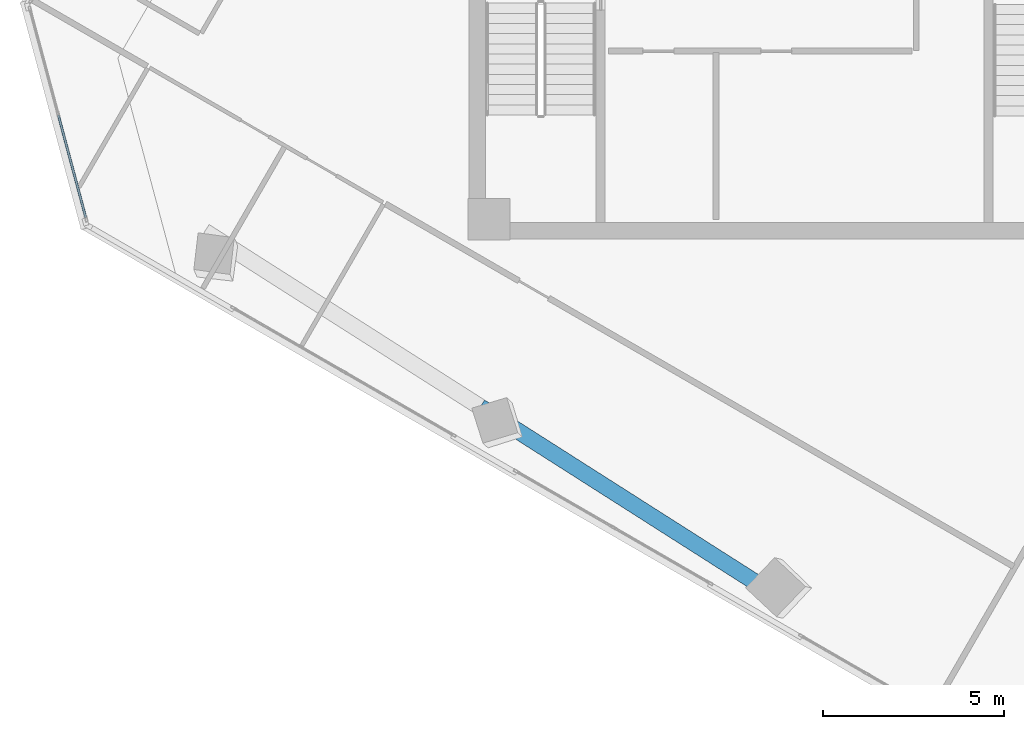
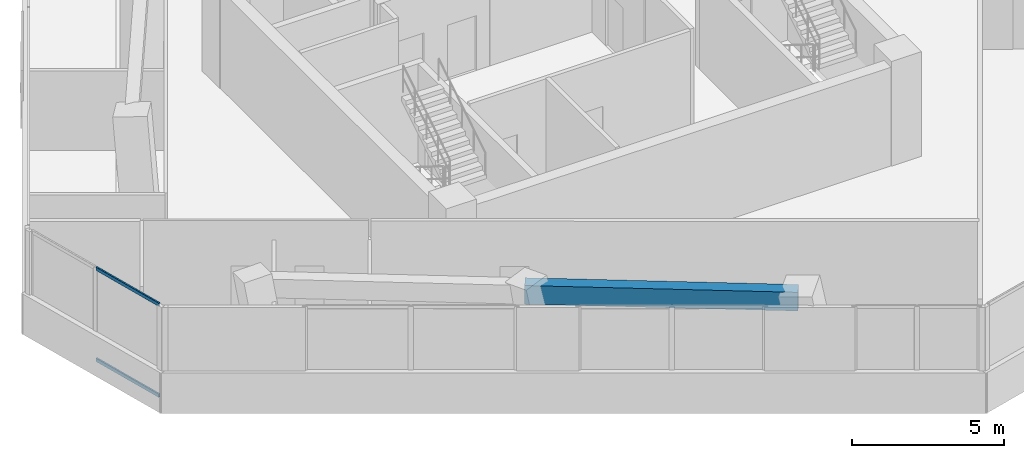
# One storey, part 5 of 22: 2 members, 1 beam, 1 element without a shape of its own.
"""IFC4 building model written with IfcOpenShell, lengths in metres."""

from ifc_helpers import new_model, si_unit, direction, frame, origin, origin_2d, place, context, subcontext, project, spatial, rectangle, hollow_rectangle, extrude, source, transform, mapped, material, material_profile, profile_set, type_object, element, aggregate, save


model = new_model("IFC4")

# Units and contexts
model_context = context("Model", 3, precision=1e-05, world=origin(), true_north=direction((0.0, 1.0)))
body_context = subcontext(model_context, "Body", "Model", "MODEL_VIEW")
ifc_project = project(units=[si_unit("LENGTHUNIT", "METRE"), si_unit("AREAUNIT", "SQUARE_METRE"), si_unit("VOLUMEUNIT", "CUBIC_METRE"), si_unit("PLANEANGLEUNIT", "RADIAN"), si_unit("MASSUNIT", "GRAM", prefix="KILO")], contexts=[model_context])

# Site, building, storey
site_placement = place(None, origin())
site = spatial("IfcSite", under=ifc_project, at=site_placement, CompositionType="ELEMENT")
building_placement = place(site_placement, origin())
building = spatial("IfcBuilding", under=site, at=building_placement, Name="Torre Montelarca", CompositionType="ELEMENT")
storey_placement = place(building_placement, frame((0.0, 0.0, 183.39990234375)))
storey = spatial("IfcBuildingStorey", under=building, at=storey_placement, Name="L41", CompositionType="ELEMENT", Elevation=183.39990234375)

# Beam
ifc_material_1 = material(Name="Concrete C55/67", Category="concrete")
ifc_material_profile_1 = material_profile(ifc_material_1, rectangle(XDim=0.449951171875, YDim=0.75, at=origin_2d()), Name="RCB450X750", Category="concrete")
ifc_profile_set_1 = profile_set([ifc_material_profile_1], Name="Concrete C55/67")
beam_type = type_object("IfcBeamType", Name="BM-SP-RC750-EXT", PredefinedType="SPANDREL", material=ifc_profile_set_1)
shared_shape_1 = source(origin(), body_context, "Body", "SweptSolid", [
    extrude(rectangle(XDim=0.449951171875, YDim=0.75, at=origin_2d()), origin(), (0.0, 0.0, 1.0), 9.0),
])
beam_placement = place(storey_placement, frame((9.306640625, 19.374267578125, 3.585205078125), z_axis=(0.843393307865, -0.5372966855, 0.0), x_axis=(0.5372966855, 0.843393307865, 0.0)))
element("IfcBeam", 1, at=beam_placement, inside=storey, type_object=beam_type, Name="L41 Grid Girder X 18.0-27.0 at Y=14.8", PredefinedType="SPANDREL", context=body_context, shape_type="MappedRepresentation", body=[
    mapped(shared_shape_1, transform((0.0, 0.0, 0.0), scale=1.0)),
])

# Curtain wall, members
ifc_material_2 = material(Name="Insulated low-E laminated glass", Category="glass")
curtain_wall_type = type_object("IfcCurtainWallType", Name="CW-SYS-Z2", PredefinedType="USERDEFINED", material=ifc_material_2)
curtain_wall_placement = place(storey_placement, origin())
curtain_wall = element("IfcCurtainWall", 2, at=curtain_wall_placement, inside=storey, type_object=curtain_wall_type, Name="L41 Curtain Wall Run CW-T3-L41-E11-B1", ObjectType="UNITISED GLAZING", PredefinedType="USERDEFINED")
ifc_material_3 = material(Name="Anodised aluminium AA 6063-T6", Category="aluminium")
ifc_material_profile_2 = material_profile(ifc_material_3, hollow_rectangle(XDim=0.06494140625, YDim=0.139892578125, WallThickness=0.00390625, InnerFilletRadius=0.00390625, OuterFilletRadius=0.008056640625, at=origin_2d()), Name="ALU65X140X4", Category="aluminium")
ifc_profile_set_2 = profile_set([ifc_material_profile_2], Name="Anodised aluminium AA 6063-T6")
member_type = type_object("IfcMemberType", Name="CWT-ALU140", PredefinedType="USERDEFINED", material=ifc_profile_set_2)
shared_shape_2 = source(origin(), body_context, "Body", "SweptSolid", [
    extrude(hollow_rectangle(XDim=0.06494140625, YDim=0.139892578125, WallThickness=0.00390625, InnerFilletRadius=0.00390625, OuterFilletRadius=0.008056640625, at=origin_2d()), origin(), (0.0, 0.0, 1.0), 2.91845703125),
])
member_1_placement = place(storey_placement, frame((-2.319091796875, 27.4140625, 0.03271484375), z_axis=(0.258818317304, -0.965926021302, 0.0), x_axis=(0.965926021302, 0.258818317304, 0.0)))
member_1 = element("IfcMember", 3, at=member_1_placement, type_object=member_type, Name="CW transom 2.1", ObjectType="TRANSOM", PredefinedType="USERDEFINED", context=body_context, shape_type="MappedRepresentation", body=[
    mapped(shared_shape_2, transform((0.0, 0.0, 0.0), scale=1.0)),
])
member_2_placement = place(storey_placement, frame((-2.319091796875, 27.4140625, 3.6875), z_axis=(0.258818317304, -0.965926021302, 0.0), x_axis=(0.965926021302, 0.258818317304, 0.0)))
member_2 = element("IfcMember", 4, at=member_2_placement, type_object=member_type, Name="CW transom 2.2", ObjectType="TRANSOM", PredefinedType="USERDEFINED", context=body_context, shape_type="MappedRepresentation", body=[
    mapped(shared_shape_2, transform((0.0, 0.0, 0.0), scale=1.0)),
])
aggregate(curtain_wall, [member_1, member_2])

save(model, "model.ifc")
